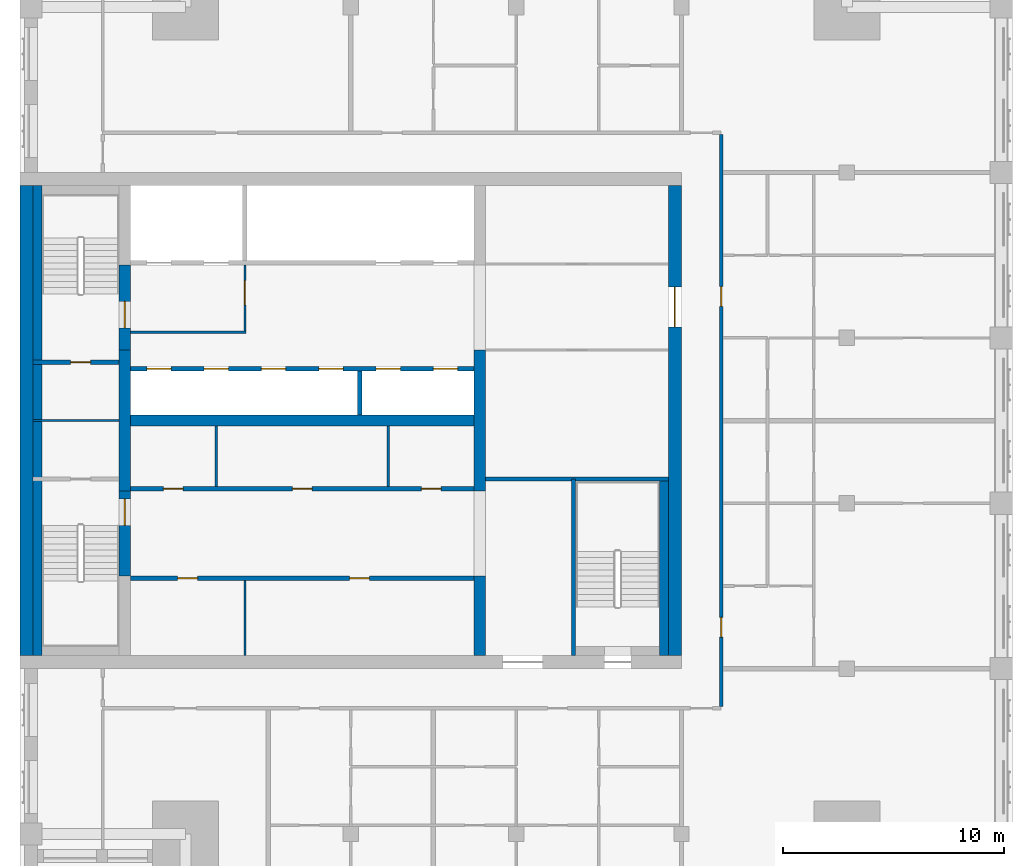
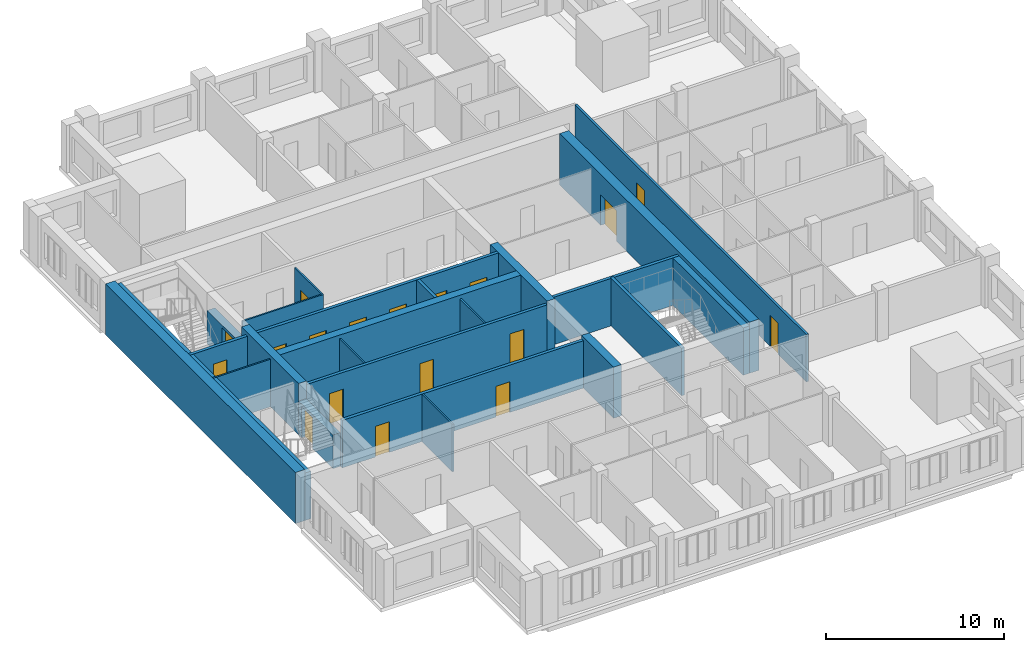
# One storey, part 4 of 10: 24 walls, 18 doors, 18 openings.
"""IFC4 building model written with IfcOpenShell, lengths in metres."""

import ifcopenshell
import ifcopenshell.guid

model = None  # the IFC model being written
_history = None  # IfcOwnerHistory: only IFC2X3 demands one
_inside = {}  # id of a spatial element -> (the spatial element, [elements in it])
_under = {}  # id of a project, library or spatial element -> (it, [spatial elements below it])
_declared = {}  # id of a project -> (the project, [libraries it declares])
_typed = {}  # id of a type object -> (the type object, [elements of that type])
_made_of = {}  # id of a material, layer set ... -> (it, [elements and type objects made of it])


def new_model(schema):
    """Start an empty IFC model of exactly this schema.

    Asked for "IFC4X3", IfcOpenShell would pick the latest addendum, in which some entities
    have other attributes; the version numbers below select the first issue.
    IFC2X3 requires an IfcOwnerHistory on every rooted entity: one is made here for all.
    """
    global model, _history
    if schema == "IFC4X3":
        model = ifcopenshell.file(schema_version=(4, 3, 0, 0))
    else:
        model = ifcopenshell.file(schema=schema)
    _inside.clear()
    _under.clear()
    _declared.clear()
    _typed.clear()
    _made_of.clear()
    _history = None
    if model.schema == "IFC2X3":
        org = make("IfcOrganization", Name="unknown")
        user = make(
            "IfcPersonAndOrganization",
            ThePerson=make("IfcPerson", FamilyName="unknown"),
            TheOrganization=org,
        )
        app = make(
            "IfcApplication",
            ApplicationDeveloper=org,
            Version="unknown",
            ApplicationFullName="unknown",
            ApplicationIdentifier="unknown",
        )
        _history = make(
            "IfcOwnerHistory",
            OwningUser=user,
            OwningApplication=app,
            ChangeAction="ADDED",
            CreationDate=0,
        )
    return model


def make(cls, **values):
    """One entity of the class cls with the attributes given. An attribute that is None is left unset."""
    return model.create_entity(
        cls, **{name: value for name, value in values.items() if value is not None}
    )


def rooted(cls, **values):
    """An entity with a GlobalId (a new one), such as an element, a storey or a relation."""
    return make(cls, GlobalId=ifcopenshell.guid.new(), OwnerHistory=_history, **values)


def si_unit(unit_type, name, prefix=None):
    """IfcSIUnit, for example si_unit("LENGTHUNIT", "METRE", prefix="MILLI")."""
    return make("IfcSIUnit", UnitType=unit_type, Prefix=prefix, Name=name)


def assignment(units):
    """IfcUnitAssignment: the units of a project."""
    return None if units is None else make("IfcUnitAssignment", Units=units)


def point(xyz):
    """IfcCartesianPoint."""
    return None if xyz is None else make("IfcCartesianPoint", Coordinates=xyz)


def direction(xyz):
    """IfcDirection."""
    return None if xyz is None else make("IfcDirection", DirectionRatios=xyz)


def frame(location, z_axis=None, x_axis=None):
    """IfcAxis2Placement3D, a coordinate frame: its origin and axes. An axis left out is left unset."""
    return make(
        "IfcAxis2Placement3D",
        Location=point(location),
        Axis=direction(z_axis),
        RefDirection=direction(x_axis),
    )


def frame_2d(location, x_axis=None):
    """IfcAxis2Placement2D, a coordinate frame in the plane: its origin and x axis."""
    return make(
        "IfcAxis2Placement2D", Location=point(location), RefDirection=direction(x_axis)
    )


def origin():
    """The frame at (0, 0, 0) with its axes left unset."""
    return frame((0.0, 0.0, 0.0))


def place(relative_to, where):
    """IfcLocalPlacement: puts the frame where relative to a parent placement (None: the world)."""
    return make(
        "IfcLocalPlacement", PlacementRelTo=relative_to, RelativePlacement=where
    )


def context(
    kind, dimensions, precision=None, world=None, true_north=None, identifier=None
):
    """IfcGeometricRepresentationContext, for example the 3D "Model" context."""
    return make(
        "IfcGeometricRepresentationContext",
        ContextIdentifier=identifier,
        ContextType=kind,
        CoordinateSpaceDimension=dimensions,
        Precision=precision,
        WorldCoordinateSystem=world,
        TrueNorth=true_north,
    )


def subcontext(parent, identifier, kind, view, scale=None):
    """IfcGeometricRepresentationSubContext, for example "Body" below "Model"."""
    return make(
        "IfcGeometricRepresentationSubContext",
        ContextIdentifier=identifier,
        ContextType=kind,
        ParentContext=parent,
        TargetScale=scale,
        TargetView=view,
    )


def project(units=None, contexts=None):
    """IfcProject with its units and contexts."""
    return rooted(
        "IfcProject",
        Name="project",
        RepresentationContexts=contexts,
        UnitsInContext=assignment(units),
    )


def spatial(cls, under=None, at=None, **own):
    """A site, building, storey or space (cls), placed at a placement, below another one or the project."""
    s = rooted(cls, ObjectPlacement=at, **own)
    if under is not None:
        _under.setdefault(under.id(), (under, []))[1].append(s)
    return s


def profile(cls, at=None, kind="AREA", **sizes):
    """A parametric profile (cls). Its sizes go by their IFC names, for example OverallWidth=200.0."""
    return make(cls, ProfileType=kind, Position=at, **sizes)


def rectangle(**sizes):
    """IfcRectangleProfileDef."""
    return profile("IfcRectangleProfileDef", **sizes)


def extrude(swept, where, along, depth):
    """IfcExtrudedAreaSolid: the profile swept, set in the frame where, extruded along a direction by depth."""
    return make(
        "IfcExtrudedAreaSolid",
        SweptArea=swept,
        Position=where,
        ExtrudedDirection=direction(along),
        Depth=depth,
    )


def shape(context_of_items, identifier, shape_type, items):
    """IfcShapeRepresentation: the items that make up one representation, for example the "Body"."""
    return make(
        "IfcShapeRepresentation",
        ContextOfItems=context_of_items,
        RepresentationIdentifier=identifier,
        RepresentationType=shape_type,
        Items=items,
    )


def material(Name=None, Category=None):
    """IfcMaterial."""
    return make("IfcMaterial", Name=Name, Category=Category)


def layer(
    of_material, thickness, ventilated=None, Name=None, Category=None, Priority=None
):
    """IfcMaterialLayer: one layer of a wall or slab, of a material (None: an air gap)."""
    return make(
        "IfcMaterialLayer",
        Material=of_material,
        LayerThickness=thickness,
        IsVentilated=ventilated,
        Name=Name,
        Category=Category,
        Priority=Priority,
    )


def layer_set(layers, Name=None):
    """IfcMaterialLayerSet."""
    return make("IfcMaterialLayerSet", MaterialLayers=layers, LayerSetName=Name)


def made_of(thing, what):
    """Note that an element or type object is made of a material, layer set ...; save() writes the relation."""
    if what is not None:
        _made_of.setdefault(what.id(), (what, []))[1].append(thing)
    return thing


def type_object(cls, material=None, **own):
    """A type object (cls), such as IfcWallType, which elements share."""
    return made_of(rooted(cls, **own), material)


def element(
    cls,
    number,
    at=None,
    inside=None,
    cuts=None,
    type_object=None,
    material=None,
    context=None,
    identifier="Body",
    shape_type=None,
    held_by="IfcProductDefinitionShape",
    body=None,
    shapes=None,
    **own,
):
    """One element of the class cls, such as IfcWall. Its Tag is "e" and its number.

    at: its placement. inside: the storey or other place that contains it. cuts: it is an
    opening in that element (IfcRelVoidsElement). A single representation is given by context,
    identifier, shape_type and body (its items); several are given by shapes. held_by: the class
    of the entity that holds the representations. save() writes the other relations.
    """
    e = rooted(cls, Tag="e%d" % number, ObjectPlacement=at, **own)
    if body is not None:
        shapes = [shape(context, identifier, shape_type, body)]
    if shapes is not None:
        e.Representation = make(held_by, Representations=shapes)
    if inside is not None:
        _inside.setdefault(inside.id(), (inside, []))[1].append(e)
    if cuts is not None:
        rooted(
            "IfcRelVoidsElement", RelatingBuildingElement=cuts, RelatedOpeningElement=e
        )
    if type_object is not None:
        _typed.setdefault(type_object.id(), (type_object, []))[1].append(e)
    return made_of(e, material)


def fill(opening, filler):
    """IfcRelFillsElement: the door or window that sits in an opening."""
    return rooted(
        "IfcRelFillsElement",
        RelatingOpeningElement=opening,
        RelatedBuildingElement=filler,
    )


def aggregate(whole, parts):
    """IfcRelAggregates: a whole, such as a stair, and the parts it consists of."""
    return rooted("IfcRelAggregates", RelatingObject=whole, RelatedObjects=parts)


def save(model, path):
    """Write the relations noted so far, then the file.

    IfcRelAggregates (storeys below a building ...), IfcRelContainedInSpatialStructure (elements
    in a storey), IfcRelDefinesByType, IfcRelAssociatesMaterial and IfcRelDeclares: one each for
    every whole, place, type object, material and project.
    """
    for whole, parts in _under.values():
        aggregate(whole, parts)
    for where, things in _inside.values():
        rooted(
            "IfcRelContainedInSpatialStructure",
            RelatedElements=things,
            RelatingStructure=where,
        )
    for kind, things in _typed.values():
        rooted("IfcRelDefinesByType", RelatedObjects=things, RelatingType=kind)
    for what, things in _made_of.values():
        rooted("IfcRelAssociatesMaterial", RelatedObjects=things, RelatingMaterial=what)
    for by, libraries in _declared.values():
        rooted("IfcRelDeclares", RelatingContext=by, RelatedDefinitions=libraries)
    model.write(path)


model = new_model("IFC4")

# Units and contexts
model_context = context("Model", 3, precision=1e-05, world=origin(), true_north=direction((0.0, 1.0)))
body_context = subcontext(model_context, "Body", "Model", "MODEL_VIEW")
ifc_project = project(units=[si_unit("LENGTHUNIT", "METRE"), si_unit("AREAUNIT", "SQUARE_METRE"), si_unit("VOLUMEUNIT", "CUBIC_METRE"), si_unit("PLANEANGLEUNIT", "RADIAN"), si_unit("MASSUNIT", "GRAM", prefix="KILO")], contexts=[model_context])

# Site, building, storey
site_placement = place(None, origin())
site = spatial("IfcSite", under=ifc_project, at=site_placement, CompositionType="ELEMENT")
building_placement = place(site_placement, origin())
building = spatial("IfcBuilding", under=site, at=building_placement, Name="Tamorin Gate", CompositionType="ELEMENT")
storey_placement = place(building_placement, frame((0.0, 0.0, 280.199951171875)))
storey = spatial("IfcBuildingStorey", under=building, at=storey_placement, Name="L70", CompositionType="ELEMENT", Elevation=280.199951171875)

# Wall, openings, doors
ifc_material_1 = material(Name="Gypsum board partition")
ifc_layer_1 = layer(ifc_material_1, 0.14990234375)
ifc_layer_set_1 = layer_set([ifc_layer_1], Name="Corridor wall 150")
wall_type_1 = type_object("IfcWallType", Name="Corridor wall 150", PredefinedType="PARTITIONING", material=ifc_layer_set_1)
wall_1_placement = place(storey_placement, frame((61.800048828125, 58.27490234375, 0.0), z_axis=(0.0, 0.0, 1.0), x_axis=(0.0, 1.0, 0.0)))
wall_1 = element("IfcWall", 1, at=wall_1_placement, inside=storey, type_object=wall_type_1, Name="Corridor wall 150", PredefinedType="PARTITIONING", context=body_context, shape_type="SweptSolid", body=[
    extrude(rectangle(XDim=25.9501953125, YDim=0.14990234375, at=frame_2d((12.97509765625, 0.0))), origin(), (0.0, 0.0, 1.0), 3.25),
])
opening_1_placement = place(wall_1_placement, frame((3.14990234375, 0.0, 0.0)))
opening_1 = element("IfcOpeningElement", 2, at=opening_1_placement, cuts=wall_1, Name="Opening DR9029", PredefinedType="OPENING", context=body_context, shape_type="SweptSolid", body=[
    extrude(rectangle(XDim=0.89990234375, YDim=2.10009765625, at=frame_2d((0.449951171875, 1.050048828125))), frame((0.0, 0.0849609375, 0.0), z_axis=(0.0, -1.0, 0.0), x_axis=(1.0, 0.0, 0.0)), (0.0, 0.0, 1.0), 0.169921875),
])
opening_2_placement = place(wall_1_placement, frame((18.14990234375, 0.0, 0.0)))
opening_2 = element("IfcOpeningElement", 3, at=opening_2_placement, cuts=wall_1, Name="Opening DR9038", PredefinedType="OPENING", context=body_context, shape_type="SweptSolid", body=[
    extrude(rectangle(XDim=0.89990234375, YDim=2.10009765625, at=frame_2d((0.449951171875, 1.050048828125))), frame((0.0, 0.0849609375, 0.0), z_axis=(0.0, -1.0, 0.0), x_axis=(1.0, 0.0, 0.0)), (0.0, 0.0, 1.0), 0.169921875),
])
ifc_material_2 = material(Name="Timber door leaf", Category="wood")
door_type_1 = type_object("IfcDoorType", Name="Door 900 x 2100 FD30S", OperationType="NOTDEFINED", PredefinedType="DOOR", material=ifc_material_2)
door_1_placement = place(opening_1_placement, origin())
door_1 = element("IfcDoor", 4, at=door_1_placement, inside=storey, type_object=door_type_1, Name="Door DR9029", OperationType="SINGLE_SWING_RIGHT", OverallHeight=2.10009765625, OverallWidth=0.89990234375, PredefinedType="DOOR", context=body_context, shape_type="SweptSolid", body=[
    extrude(rectangle(XDim=0.89990234375, YDim=2.10009765625, at=frame_2d((0.449951171875, 1.050048828125))), frame((0.0, 0.02490234375, 0.0), z_axis=(0.0, -1.0, 0.0), x_axis=(1.0, 0.0, 0.0)), (0.0, 0.0, 1.0), 0.050048828125),
])
fill(opening_1, door_1)
door_2_placement = place(opening_2_placement, origin())
door_2 = element("IfcDoor", 5, at=door_2_placement, inside=storey, type_object=door_type_1, Name="Door DR9038", OperationType="SINGLE_SWING_RIGHT", OverallHeight=2.10009765625, OverallWidth=0.89990234375, PredefinedType="DOOR", context=body_context, shape_type="SweptSolid", body=[
    extrude(rectangle(XDim=0.89990234375, YDim=2.10009765625, at=frame_2d((0.449951171875, 1.050048828125))), frame((0.0, 0.02490234375, 0.0), z_axis=(0.0, -1.0, 0.0), x_axis=(1.0, 0.0, 0.0)), (0.0, 0.0, 1.0), 0.050048828125),
])
fill(opening_2, door_2)

ifc_material_3 = material(Name="Concrete C32/40", Category="concrete")
ifc_layer_2 = layer(ifc_material_3, 0.199951171875)
ifc_layer_set_2 = layer_set([ifc_layer_2], Name="Lift lobby face wall 200 EI 120")
wall_type_2 = type_object("IfcWallType", Name="Lift lobby face wall 200 EI 120", PredefinedType="SOLIDWALL", material=ifc_layer_set_2)
wall_2_placement = place(storey_placement, frame((35.0, 73.60009765625, 0.0), z_axis=(0.0, 0.0, 1.0), x_axis=(1.0, 0.0, 0.0)))
wall_2 = element("IfcWall", 6, at=wall_2_placement, inside=storey, type_object=wall_type_2, Name="Lift lobby face wall", PredefinedType="SOLIDWALL", context=body_context, shape_type="SweptSolid", body=[
    extrude(rectangle(XDim=15.60009765625, YDim=0.199951171875, at=frame_2d((7.800048828125, 0.0))), origin(), (0.0, 0.0, 1.0), 3.5),
])
opening_3_placement = place(wall_2_placement, frame((0.75, 0.0, 0.0)))
opening_3 = element("IfcOpeningElement", 7, at=opening_3_placement, cuts=wall_2, Name="Opening LD11", PredefinedType="OPENING", context=body_context, shape_type="SweptSolid", body=[
    extrude(rectangle(XDim=1.10009765625, YDim=2.10009765625, at=frame_2d((0.550048828125, 1.050048828125))), frame((0.0, 0.10986328125, 0.0), z_axis=(0.0, -1.0, 0.0), x_axis=(1.0, 0.0, 0.0)), (0.0, 0.0, 1.0), 0.219970703125),
])
opening_4_placement = place(wall_2_placement, frame((3.35009765625, 0.0, 0.0)))
opening_4 = element("IfcOpeningElement", 8, at=opening_4_placement, cuts=wall_2, Name="Opening LD12", PredefinedType="OPENING", context=body_context, shape_type="SweptSolid", body=[
    extrude(rectangle(XDim=1.10009765625, YDim=2.10009765625, at=frame_2d((0.550048828125, 1.050048828125))), frame((0.0, 0.10986328125, 0.0), z_axis=(0.0, -1.0, 0.0), x_axis=(1.0, 0.0, 0.0)), (0.0, 0.0, 1.0), 0.219970703125),
])
opening_5_placement = place(wall_2_placement, frame((5.949951171875, 0.0, 0.0)))
opening_5 = element("IfcOpeningElement", 9, at=opening_5_placement, cuts=wall_2, Name="Opening LD13", PredefinedType="OPENING", context=body_context, shape_type="SweptSolid", body=[
    extrude(rectangle(XDim=1.10009765625, YDim=2.10009765625, at=frame_2d((0.550048828125, 1.050048828125))), frame((0.0, 0.10986328125, 0.0), z_axis=(0.0, -1.0, 0.0), x_axis=(1.0, 0.0, 0.0)), (0.0, 0.0, 1.0), 0.219970703125),
])
opening_6_placement = place(wall_2_placement, frame((8.550048828125, 0.0, 0.0)))
opening_6 = element("IfcOpeningElement", 10, at=opening_6_placement, cuts=wall_2, Name="Opening LD14", PredefinedType="OPENING", context=body_context, shape_type="SweptSolid", body=[
    extrude(rectangle(XDim=1.10009765625, YDim=2.10009765625, at=frame_2d((0.550048828125, 1.050048828125))), frame((0.0, 0.10986328125, 0.0), z_axis=(0.0, -1.0, 0.0), x_axis=(1.0, 0.0, 0.0)), (0.0, 0.0, 1.0), 0.219970703125),
])
opening_7_placement = place(wall_2_placement, frame((11.14990234375, 0.0, 0.0)))
opening_7 = element("IfcOpeningElement", 11, at=opening_7_placement, cuts=wall_2, Name="Opening LD15", PredefinedType="OPENING", context=body_context, shape_type="SweptSolid", body=[
    extrude(rectangle(XDim=1.10009765625, YDim=2.10009765625, at=frame_2d((0.550048828125, 1.050048828125))), frame((0.0, 0.10986328125, 0.0), z_axis=(0.0, -1.0, 0.0), x_axis=(1.0, 0.0, 0.0)), (0.0, 0.0, 1.0), 0.219970703125),
])
opening_8_placement = place(wall_2_placement, frame((13.75, 0.0, 0.0)))
opening_8 = element("IfcOpeningElement", 12, at=opening_8_placement, cuts=wall_2, Name="Opening LD16", PredefinedType="OPENING", context=body_context, shape_type="SweptSolid", body=[
    extrude(rectangle(XDim=1.10009765625, YDim=2.10009765625, at=frame_2d((0.550048828125, 1.050048828125))), frame((0.0, 0.10986328125, 0.0), z_axis=(0.0, -1.0, 0.0), x_axis=(1.0, 0.0, 0.0)), (0.0, 0.0, 1.0), 0.219970703125),
])
ifc_material_4 = material(Name="Stainless steel sliding door", Category="steel")
door_type_2 = type_object("IfcDoorType", Name="Lift landing door 1100 x 2100 E 90", OperationType="DOUBLE_DOOR_SLIDING", PredefinedType="DOOR", material=ifc_material_4)
door_3_placement = place(opening_3_placement, origin())
door_3 = element("IfcDoor", 13, at=door_3_placement, inside=storey, type_object=door_type_2, Name="HR1 landing door", OperationType="DOUBLE_DOOR_SLIDING", OverallHeight=2.10009765625, OverallWidth=1.10009765625, PredefinedType="DOOR", context=body_context, shape_type="SweptSolid", body=[
    extrude(rectangle(XDim=1.10009765625, YDim=2.10009765625, at=frame_2d((0.550048828125, 1.050048828125))), frame((0.0, 0.02490234375, 0.0), z_axis=(0.0, -1.0, 0.0), x_axis=(1.0, 0.0, 0.0)), (0.0, 0.0, 1.0), 0.050048828125),
])
fill(opening_3, door_3)
door_4_placement = place(opening_4_placement, origin())
door_4 = element("IfcDoor", 14, at=door_4_placement, inside=storey, type_object=door_type_2, Name="HR2 landing door", OperationType="DOUBLE_DOOR_SLIDING", OverallHeight=2.10009765625, OverallWidth=1.10009765625, PredefinedType="DOOR", context=body_context, shape_type="SweptSolid", body=[
    extrude(rectangle(XDim=1.10009765625, YDim=2.10009765625, at=frame_2d((0.550048828125, 1.050048828125))), frame((0.0, 0.02490234375, 0.0), z_axis=(0.0, -1.0, 0.0), x_axis=(1.0, 0.0, 0.0)), (0.0, 0.0, 1.0), 0.050048828125),
])
fill(opening_4, door_4)
door_5_placement = place(opening_5_placement, origin())
door_5 = element("IfcDoor", 15, at=door_5_placement, inside=storey, type_object=door_type_2, Name="HR3 landing door", OperationType="DOUBLE_DOOR_SLIDING", OverallHeight=2.10009765625, OverallWidth=1.10009765625, PredefinedType="DOOR", context=body_context, shape_type="SweptSolid", body=[
    extrude(rectangle(XDim=1.10009765625, YDim=2.10009765625, at=frame_2d((0.550048828125, 1.050048828125))), frame((0.0, 0.02490234375, 0.0), z_axis=(0.0, -1.0, 0.0), x_axis=(1.0, 0.0, 0.0)), (0.0, 0.0, 1.0), 0.050048828125),
])
fill(opening_5, door_5)
door_6_placement = place(opening_6_placement, origin())
door_6 = element("IfcDoor", 16, at=door_6_placement, inside=storey, type_object=door_type_2, Name="HR4 landing door", OperationType="DOUBLE_DOOR_SLIDING", OverallHeight=2.10009765625, OverallWidth=1.10009765625, PredefinedType="DOOR", context=body_context, shape_type="SweptSolid", body=[
    extrude(rectangle(XDim=1.10009765625, YDim=2.10009765625, at=frame_2d((0.550048828125, 1.050048828125))), frame((0.0, 0.02490234375, 0.0), z_axis=(0.0, -1.0, 0.0), x_axis=(1.0, 0.0, 0.0)), (0.0, 0.0, 1.0), 0.050048828125),
])
fill(opening_6, door_6)
door_7_placement = place(opening_7_placement, origin())
door_7 = element("IfcDoor", 17, at=door_7_placement, inside=storey, type_object=door_type_2, Name="HR5 landing door", OperationType="DOUBLE_DOOR_SLIDING", OverallHeight=2.10009765625, OverallWidth=1.10009765625, PredefinedType="DOOR", context=body_context, shape_type="SweptSolid", body=[
    extrude(rectangle(XDim=1.10009765625, YDim=2.10009765625, at=frame_2d((0.550048828125, 1.050048828125))), frame((0.0, 0.02490234375, 0.0), z_axis=(0.0, -1.0, 0.0), x_axis=(1.0, 0.0, 0.0)), (0.0, 0.0, 1.0), 0.050048828125),
])
fill(opening_7, door_7)
door_8_placement = place(opening_8_placement, origin())
door_8 = element("IfcDoor", 18, at=door_8_placement, inside=storey, type_object=door_type_2, Name="HR6 landing door", OperationType="DOUBLE_DOOR_SLIDING", OverallHeight=2.10009765625, OverallWidth=1.10009765625, PredefinedType="DOOR", context=body_context, shape_type="SweptSolid", body=[
    extrude(rectangle(XDim=1.10009765625, YDim=2.10009765625, at=frame_2d((0.550048828125, 1.050048828125))), frame((0.0, 0.02490234375, 0.0), z_axis=(0.0, -1.0, 0.0), x_axis=(1.0, 0.0, 0.0)), (0.0, 0.0, 1.0), 0.050048828125),
])
fill(opening_8, door_8)

# Walls
ifc_layer_3 = layer(ifc_material_3, 0.199951171875)
ifc_layer_set_3 = layer_set([ifc_layer_3], Name="Lift shaft wall 200 EI 120")
wall_type_3 = type_object("IfcWallType", Name="Lift shaft wall 200 EI 120", PredefinedType="SOLIDWALL", material=ifc_layer_set_3)
wall_3_placement = place(storey_placement, frame((45.39990234375, 71.5, 0.0), z_axis=(0.0, 0.0, 1.0), x_axis=(0.0, 1.0, 0.0)))
element("IfcWall", 19, at=wall_3_placement, inside=storey, type_object=wall_type_3, Name="Lift shaft wall", PredefinedType="SOLIDWALL", context=body_context, shape_type="SweptSolid", body=[
    extrude(rectangle(XDim=2.0, YDim=0.199951171875, at=frame_2d((1.0, 0.0))), origin(), (0.0, 0.0, 1.0), 3.5),
])
ifc_material_5 = material(Name="Fire-rated gypsum board partition")
ifc_layer_4 = layer(ifc_material_5, 0.10009765625)
ifc_layer_set_4 = layer_set([ifc_layer_4], Name="Lobby wall 100 EI 60")
wall_type_4 = type_object("IfcWallType", Name="Lobby wall 100 EI 60", PredefinedType="PARTITIONING", material=ifc_layer_set_4)
wall_4_placement = place(storey_placement, frame((35.0, 75.25, 0.0), z_axis=(0.0, 0.0, 1.0), x_axis=(1.0, 0.0, 0.0)))
element("IfcWall", 20, at=wall_4_placement, inside=storey, type_object=wall_type_4, Name="Firefighting lobby wall", PredefinedType="PARTITIONING", context=body_context, shape_type="SweptSolid", body=[
    extrude(rectangle(XDim=5.25, YDim=0.10009765625, at=frame_2d((2.625, 0.0))), origin(), (0.0, 0.0, 1.0), 3.25),
])

# Wall, opening, door
wall_5_placement = place(storey_placement, frame((40.199951171875, 75.300048828125, 0.0), z_axis=(0.0, 0.0, 1.0), x_axis=(0.0, 1.0, 0.0)))
wall_5 = element("IfcWall", 21, at=wall_5_placement, inside=storey, type_object=wall_type_4, Name="Firefighting lobby wall", PredefinedType="PARTITIONING", context=body_context, shape_type="SweptSolid", body=[
    extrude(rectangle(XDim=3.0, YDim=0.10009765625, at=frame_2d((1.5, 0.0))), origin(), (0.0, 0.0, 1.0), 3.25),
])
opening_9_placement = place(wall_5_placement, frame((1.199951171875, 0.0, 0.0)))
opening_9 = element("IfcOpeningElement", 22, at=opening_9_placement, cuts=wall_5, Name="Opening DF1", PredefinedType="OPENING", context=body_context, shape_type="SweptSolid", body=[
    extrude(rectangle(XDim=1.10009765625, YDim=2.10009765625, at=frame_2d((0.550048828125, 1.050048828125))), frame((0.0, 0.06005859375, 0.0), z_axis=(0.0, -1.0, 0.0), x_axis=(1.0, 0.0, 0.0)), (0.0, 0.0, 1.0), 0.1201171875),
])
ifc_material_6 = material(Name="Steel fire door", Category="steel")
door_type_3 = type_object("IfcDoorType", Name="Firefighting lobby door 1100 x 2100 EI 90", OperationType="SINGLE_SWING_LEFT", PredefinedType="DOOR", material=ifc_material_6)
door_9_placement = place(opening_9_placement, origin())
door_9 = element("IfcDoor", 23, at=door_9_placement, inside=storey, type_object=door_type_3, Name="Firefighting lobby door", OperationType="SINGLE_SWING_LEFT", OverallHeight=2.10009765625, OverallWidth=1.10009765625, PredefinedType="DOOR", context=body_context, shape_type="SweptSolid", body=[
    extrude(rectangle(XDim=1.10009765625, YDim=2.10009765625, at=frame_2d((0.550048828125, 1.050048828125))), frame((0.0, 0.02490234375, 0.0), z_axis=(0.0, -1.0, 0.0), x_axis=(1.0, 0.0, 0.0)), (0.0, 0.0, 1.0), 0.050048828125),
])
fill(opening_9, door_9)

# Walls
ifc_material_7 = material(Name="Concrete C50/60", Category="concrete")
ifc_layer_5 = layer(ifc_material_7, 0.5)
ifc_layer_set_5 = layer_set([ifc_layer_5], Name="RC core internal wall 500 C50/60")
wall_type_5 = type_object("IfcWallType", Name="RC core internal wall 500 C50/60", PredefinedType="SHEAR", material=ifc_layer_set_5)
wall_6_placement = place(storey_placement, frame((35.0, 71.25, 0.0), z_axis=(0.0, 0.0, 1.0), x_axis=(1.0, 0.0, 0.0)))
element("IfcWall", 24, at=wall_6_placement, inside=storey, type_object=wall_type_5, Name="Core spine wall L70", PredefinedType="SHEAR", context=body_context, shape_type="SweptSolid", body=[
    extrude(rectangle(XDim=15.60009765625, YDim=0.5, at=frame_2d((7.800048828125, 0.0))), origin(), (0.0, 0.0, 1.0), 3.5),
])
wall_7_placement = place(storey_placement, frame((34.75, 68.050048828125, 0.0), z_axis=(0.0, 0.0, 1.0), x_axis=(0.0, 1.0, 0.0)))
element("IfcWall", 25, at=wall_7_placement, inside=storey, type_object=wall_type_5, Name="Core cross wall L70", PredefinedType="SHEAR", context=body_context, shape_type="SweptSolid", body=[
    extrude(rectangle(XDim=6.39990234375, YDim=0.5, at=frame_2d((3.199951171875, 0.0))), origin(), (0.0, 0.0, 1.0), 3.5),
])
wall_8_placement = place(storey_placement, frame((50.85009765625, 60.60009765625, 0.0), z_axis=(0.0, 0.0, 1.0), x_axis=(0.0, 1.0, 0.0)))
element("IfcWall", 26, at=wall_8_placement, inside=storey, type_object=wall_type_5, Name="Core cross wall L70", PredefinedType="SHEAR", context=body_context, shape_type="SweptSolid", body=[
    extrude(rectangle(XDim=3.599853515625, YDim=0.5, at=frame_2d((1.7998046875, 0.0))), origin(), (0.0, 0.0, 1.0), 3.5),
])
wall_9_placement = place(storey_placement, frame((50.85009765625, 68.050048828125, 0.0), z_axis=(0.0, 0.0, 1.0), x_axis=(0.0, 1.0, 0.0)))
element("IfcWall", 27, at=wall_9_placement, inside=storey, type_object=wall_type_5, Name="Core cross wall L70", PredefinedType="SHEAR", context=body_context, shape_type="SweptSolid", body=[
    extrude(rectangle(XDim=6.39990234375, YDim=0.5, at=frame_2d((3.199951171875, 0.0))), origin(), (0.0, 0.0, 1.0), 3.5),
])
ifc_layer_6 = layer(ifc_material_7, 0.60009765625)
ifc_layer_set_6 = layer_set([ifc_layer_6], Name="RC core wall 600 C50/60")
wall_type_6 = type_object("IfcWallType", Name="RC core wall 600 C50/60", PredefinedType="SHEAR", material=ifc_layer_set_6)
wall_10_placement = place(storey_placement, frame((30.300048828125, 60.60009765625, 0.0), z_axis=(0.0, 0.0, 1.0), x_axis=(0.0, 1.0, 0.0)))
element("IfcWall", 28, at=wall_10_placement, inside=storey, type_object=wall_type_6, Name="Core wall L70", PredefinedType="SHEAR", context=body_context, shape_type="SweptSolid", body=[
    extrude(rectangle(XDim=21.2998046875, YDim=0.60009765625, at=frame_2d((10.64990234375, 0.0))), origin(), (0.0, 0.0, 1.0), 3.5),
])

# Wall, opening, door
wall_11_placement = place(storey_placement, frame((59.699951171875, 60.60009765625, 0.0), z_axis=(0.0, 0.0, 1.0), x_axis=(0.0, 1.0, 0.0)))
wall_11 = element("IfcWall", 29, at=wall_11_placement, inside=storey, type_object=wall_type_6, Name="Core wall L70", PredefinedType="SHEAR", context=body_context, shape_type="SweptSolid", body=[
    extrude(rectangle(XDim=21.2998046875, YDim=0.60009765625, at=frame_2d((10.64990234375, 0.0))), origin(), (0.0, 0.0, 1.0), 3.5),
])
opening_10_placement = place(wall_11_placement, frame((14.89990234375, 0.0, 0.0)))
opening_10 = element("IfcOpeningElement", 30, at=opening_10_placement, cuts=wall_11, Name="Opening DE1", PredefinedType="OPENING", context=body_context, shape_type="SweptSolid", body=[
    extrude(rectangle(XDim=1.800048828125, YDim=2.10009765625, at=frame_2d((0.89990234375, 1.050048828125))), frame((0.0, 0.31005859375, 0.0), z_axis=(0.0, -1.0, 0.0), x_axis=(1.0, 0.0, 0.0)), (0.0, 0.0, 1.0), 0.6201171875),
])
door_type_4 = type_object("IfcDoorType", Name="Lobby exit double door 1800 x 2100 EI 60", OperationType="DOUBLE_DOOR_SINGLE_SWING", PredefinedType="DOOR", material=ifc_material_6)
door_10_placement = place(opening_10_placement, origin())
door_10 = element("IfcDoor", 31, at=door_10_placement, inside=storey, type_object=door_type_4, Name="Lift lobby B exit door", OperationType="DOUBLE_DOOR_SINGLE_SWING", OverallHeight=2.10009765625, OverallWidth=1.800048828125, PredefinedType="DOOR", context=body_context, shape_type="SweptSolid", body=[
    extrude(rectangle(XDim=1.800048828125, YDim=2.10009765625, at=frame_2d((0.89990234375, 1.050048828125))), frame((0.0, 0.02490234375, 0.0), z_axis=(0.0, -1.0, 0.0), x_axis=(1.0, 0.0, 0.0)), (0.0, 0.0, 1.0), 0.050048828125),
])
fill(opening_10, door_10)

# Wall
ifc_layer_7 = layer(ifc_material_5, 0.10009765625)
ifc_layer_set_7 = layer_set([ifc_layer_7], Name="Riser partition 100 EI 120")
wall_type_7 = type_object("IfcWallType", Name="Riser partition 100 EI 120", PredefinedType="PARTITIONING", material=ifc_layer_set_7)
wall_12_placement = place(storey_placement, frame((30.60009765625, 71.25, 0.0), z_axis=(0.0, 0.0, 1.0), x_axis=(1.0, 0.0, 0.0)))
element("IfcWall", 32, at=wall_12_placement, inside=storey, type_object=wall_type_7, Name="Riser partition", PredefinedType="PARTITIONING", context=body_context, shape_type="SweptSolid", body=[
    extrude(rectangle(XDim=3.89990234375, YDim=0.10009765625, at=frame_2d((1.949951171875, 0.0))), origin(), (0.0, 0.0, 1.0), 3.25),
])

# Wall, openings, doors
ifc_layer_8 = layer(ifc_material_1, 0.199951171875)
ifc_layer_set_8 = layer_set([ifc_layer_8], Name="Service room face wall 200 EI 60")
wall_type_8 = type_object("IfcWallType", Name="Service room face wall 200 EI 60", PredefinedType="PARTITIONING", material=ifc_layer_set_8)
wall_13_placement = place(storey_placement, frame((35.0, 64.10009765625, 0.0), z_axis=(0.0, 0.0, 1.0), x_axis=(1.0, 0.0, 0.0)))
wall_13 = element("IfcWall", 33, at=wall_13_placement, inside=storey, type_object=wall_type_8, Name="Service room face wall", PredefinedType="PARTITIONING", context=body_context, shape_type="SweptSolid", body=[
    extrude(rectangle(XDim=15.60009765625, YDim=0.199951171875, at=frame_2d((7.800048828125, 0.0))), origin(), (0.0, 0.0, 1.0), 3.25),
])
opening_11_placement = place(wall_13_placement, frame((2.14990234375, 0.0, 0.0)))
opening_11 = element("IfcOpeningElement", 34, at=opening_11_placement, cuts=wall_13, Name="Opening DK1", PredefinedType="OPENING", context=body_context, shape_type="SweptSolid", body=[
    extrude(rectangle(XDim=0.89990234375, YDim=2.10009765625, at=frame_2d((0.449951171875, 1.050048828125))), frame((0.0, 0.10986328125, 0.0), z_axis=(0.0, -1.0, 0.0), x_axis=(1.0, 0.0, 0.0)), (0.0, 0.0, 1.0), 0.219970703125),
])
opening_12_placement = place(wall_13_placement, frame((9.949951171875, 0.0, 0.0)))
opening_12 = element("IfcOpeningElement", 35, at=opening_12_placement, cuts=wall_13, Name="Opening DK1", PredefinedType="OPENING", context=body_context, shape_type="SweptSolid", body=[
    extrude(rectangle(XDim=0.89990234375, YDim=2.10009765625, at=frame_2d((0.449951171875, 1.050048828125))), frame((0.0, 0.10986328125, 0.0), z_axis=(0.0, -1.0, 0.0), x_axis=(1.0, 0.0, 0.0)), (0.0, 0.0, 1.0), 0.219970703125),
])
ifc_material_8 = material(Name="Timber fire door", Category="wood")
door_type_5 = type_object("IfcDoorType", Name="Service room door 900 x 2100 EI 60", OperationType="SINGLE_SWING_LEFT", PredefinedType="DOOR", material=ifc_material_8)
door_11_placement = place(opening_11_placement, origin())
door_11 = element("IfcDoor", 36, at=door_11_placement, inside=storey, type_object=door_type_5, Name="Door Club store", OperationType="SINGLE_SWING_RIGHT", OverallHeight=2.10009765625, OverallWidth=0.89990234375, PredefinedType="DOOR", context=body_context, shape_type="SweptSolid", body=[
    extrude(rectangle(XDim=0.89990234375, YDim=2.10009765625, at=frame_2d((0.449951171875, 1.050048828125))), frame((0.0, 0.02490234375, 0.0), z_axis=(0.0, -1.0, 0.0), x_axis=(1.0, 0.0, 0.0)), (0.0, 0.0, 1.0), 0.050048828125),
])
fill(opening_11, door_11)
door_12_placement = place(opening_12_placement, origin())
door_12 = element("IfcDoor", 37, at=door_12_placement, inside=storey, type_object=door_type_5, Name="Door Pantry", OperationType="SINGLE_SWING_LEFT", OverallHeight=2.10009765625, OverallWidth=0.89990234375, PredefinedType="DOOR", context=body_context, shape_type="SweptSolid", body=[
    extrude(rectangle(XDim=0.89990234375, YDim=2.10009765625, at=frame_2d((0.449951171875, 1.050048828125))), frame((0.0, 0.02490234375, 0.0), z_axis=(0.0, -1.0, 0.0), x_axis=(1.0, 0.0, 0.0)), (0.0, 0.0, 1.0), 0.050048828125),
])
fill(opening_12, door_12)

wall_14_placement = place(storey_placement, frame((35.0, 68.14990234375, 0.0), z_axis=(0.0, 0.0, 1.0), x_axis=(1.0, 0.0, 0.0)))
wall_14 = element("IfcWall", 38, at=wall_14_placement, inside=storey, type_object=wall_type_8, Name="Service room face wall", PredefinedType="PARTITIONING", context=body_context, shape_type="SweptSolid", body=[
    extrude(rectangle(XDim=15.60009765625, YDim=0.199951171875, at=frame_2d((7.800048828125, 0.0))), origin(), (0.0, 0.0, 1.0), 3.25),
])
opening_13_placement = place(wall_14_placement, frame((1.5, 0.0, 0.0)))
opening_13 = element("IfcOpeningElement", 39, at=opening_13_placement, cuts=wall_14, Name="Opening DK1", PredefinedType="OPENING", context=body_context, shape_type="SweptSolid", body=[
    extrude(rectangle(XDim=0.89990234375, YDim=2.10009765625, at=frame_2d((0.449951171875, 1.050048828125))), frame((0.0, 0.10986328125, 0.0), z_axis=(0.0, -1.0, 0.0), x_axis=(1.0, 0.0, 0.0)), (0.0, 0.0, 1.0), 0.219970703125),
])
opening_14_placement = place(wall_14_placement, frame((7.35009765625, 0.0, 0.0)))
opening_14 = element("IfcOpeningElement", 40, at=opening_14_placement, cuts=wall_14, Name="Opening DK1", PredefinedType="OPENING", context=body_context, shape_type="SweptSolid", body=[
    extrude(rectangle(XDim=0.89990234375, YDim=2.10009765625, at=frame_2d((0.449951171875, 1.050048828125))), frame((0.0, 0.10986328125, 0.0), z_axis=(0.0, -1.0, 0.0), x_axis=(1.0, 0.0, 0.0)), (0.0, 0.0, 1.0), 0.219970703125),
])
opening_15_placement = place(wall_14_placement, frame((13.199951171875, 0.0, 0.0)))
opening_15 = element("IfcOpeningElement", 41, at=opening_15_placement, cuts=wall_14, Name="Opening DK1", PredefinedType="OPENING", context=body_context, shape_type="SweptSolid", body=[
    extrude(rectangle(XDim=0.89990234375, YDim=2.10009765625, at=frame_2d((0.449951171875, 1.050048828125))), frame((0.0, 0.10986328125, 0.0), z_axis=(0.0, -1.0, 0.0), x_axis=(1.0, 0.0, 0.0)), (0.0, 0.0, 1.0), 0.219970703125),
])
door_13_placement = place(opening_13_placement, origin())
door_13 = element("IfcDoor", 42, at=door_13_placement, inside=storey, type_object=door_type_5, Name="Door Cleaner's store", OperationType="SINGLE_SWING_RIGHT", OverallHeight=2.10009765625, OverallWidth=0.89990234375, PredefinedType="DOOR", context=body_context, shape_type="SweptSolid", body=[
    extrude(rectangle(XDim=0.89990234375, YDim=2.10009765625, at=frame_2d((0.449951171875, 1.050048828125))), frame((0.0, 0.02490234375, 0.0), z_axis=(0.0, -1.0, 0.0), x_axis=(1.0, 0.0, 0.0)), (0.0, 0.0, 1.0), 0.050048828125),
])
fill(opening_13, door_13)
door_14_placement = place(opening_14_placement, origin())
door_14 = element("IfcDoor", 43, at=door_14_placement, inside=storey, type_object=door_type_5, Name="Door Electrical and IT room", OperationType="SINGLE_SWING_LEFT", OverallHeight=2.10009765625, OverallWidth=0.89990234375, PredefinedType="DOOR", context=body_context, shape_type="SweptSolid", body=[
    extrude(rectangle(XDim=0.89990234375, YDim=2.10009765625, at=frame_2d((0.449951171875, 1.050048828125))), frame((0.0, 0.02490234375, 0.0), z_axis=(0.0, -1.0, 0.0), x_axis=(1.0, 0.0, 0.0)), (0.0, 0.0, 1.0), 0.050048828125),
])
fill(opening_14, door_14)
door_15_placement = place(opening_15_placement, origin())
door_15 = element("IfcDoor", 44, at=door_15_placement, inside=storey, type_object=door_type_5, Name="Door Linen store", OperationType="SINGLE_SWING_RIGHT", OverallHeight=2.10009765625, OverallWidth=0.89990234375, PredefinedType="DOOR", context=body_context, shape_type="SweptSolid", body=[
    extrude(rectangle(XDim=0.89990234375, YDim=2.10009765625, at=frame_2d((0.449951171875, 1.050048828125))), frame((0.0, 0.02490234375, 0.0), z_axis=(0.0, -1.0, 0.0), x_axis=(1.0, 0.0, 0.0)), (0.0, 0.0, 1.0), 0.050048828125),
])
fill(opening_15, door_15)

# Walls
ifc_layer_9 = layer(ifc_material_1, 0.10009765625)
ifc_layer_set_9 = layer_set([ifc_layer_9], Name="Service room partition 100 EI 60")
wall_type_9 = type_object("IfcWallType", Name="Service room partition 100 EI 60", PredefinedType="PARTITIONING", material=ifc_layer_set_9)
wall_15_placement = place(storey_placement, frame((40.199951171875, 60.60009765625, 0.0), z_axis=(0.0, 0.0, 1.0), x_axis=(0.0, 1.0, 0.0)))
element("IfcWall", 45, at=wall_15_placement, inside=storey, type_object=wall_type_9, Name="Service room partition", PredefinedType="PARTITIONING", context=body_context, shape_type="SweptSolid", body=[
    extrude(rectangle(XDim=3.39990234375, YDim=0.10009765625, at=frame_2d((1.699951171875, 0.0))), origin(), (0.0, 0.0, 1.0), 3.25),
])
for number, where, z_axis, x_axis, name in (
    (46, (38.89990234375, 68.25, 0.0), (0.0, 0.0, 1.0), (0.0, 1.0, 0.0), "Service room partition"),
    (47, (46.699951171875, 68.25, 0.0), (0.0, 0.0, 1.0), (0.0, 1.0, 0.0), "Service room partition"),
):
    element("IfcWall", number, at=place(storey_placement, frame(where, z_axis=z_axis, x_axis=x_axis)), inside=storey, type_object=wall_type_9, Name=name, PredefinedType="PARTITIONING", context=body_context, shape_type="SweptSolid", body=[
        extrude(rectangle(XDim=2.75, YDim=0.10009765625, at=frame_2d((1.375, 0.0))), origin(), (0.0, 0.0, 1.0), 3.25),
    ])

# Wall, opening, door
ifc_material_9 = material(Name="Concrete C40/50", Category="concrete")
ifc_layer_10 = layer(ifc_material_9, 0.199951171875)
ifc_layer_set_10 = layer_set([ifc_layer_10], Name="Stair enclosure wall 200 EI 120 C40/50")
wall_type_10 = type_object("IfcWallType", Name="Stair enclosure wall 200 EI 120 C40/50", PredefinedType="SOLIDWALL", material=ifc_layer_set_10)
wall_16_placement = place(storey_placement, frame((30.60009765625, 73.89990234375, 0.0), z_axis=(0.0, 0.0, 1.0), x_axis=(1.0, 0.0, 0.0)))
wall_16 = element("IfcWall", 48, at=wall_16_placement, inside=storey, type_object=wall_type_10, Name="Stair enclosure wall", PredefinedType="SOLIDWALL", context=body_context, shape_type="SweptSolid", body=[
    extrude(rectangle(XDim=3.89990234375, YDim=0.199951171875, at=frame_2d((1.949951171875, 0.0))), origin(), (0.0, 0.0, 1.0), 3.25),
])
opening_16_placement = place(wall_16_placement, frame((1.699951171875, 0.0, 0.0)))
opening_16 = element("IfcOpeningElement", 49, at=opening_16_placement, cuts=wall_16, Name="Opening DR1", PredefinedType="OPENING", context=body_context, shape_type="SweptSolid", body=[
    extrude(rectangle(XDim=0.89990234375, YDim=2.10009765625, at=frame_2d((0.449951171875, 1.050048828125))), frame((0.0, 0.10986328125, 0.0), z_axis=(0.0, -1.0, 0.0), x_axis=(1.0, 0.0, 0.0)), (0.0, 0.0, 1.0), 0.219970703125),
])
door_type_6 = type_object("IfcDoorType", Name="Riser access door 900 x 2100 EI 120", OperationType="SINGLE_SWING_LEFT", PredefinedType="DOOR", material=ifc_material_6)
door_16_placement = place(opening_16_placement, origin())
door_16 = element("IfcDoor", 50, at=door_16_placement, inside=storey, type_object=door_type_6, Name="Communications riser door", OperationType="SINGLE_SWING_RIGHT", OverallHeight=2.10009765625, OverallWidth=0.89990234375, PredefinedType="DOOR", context=body_context, shape_type="SweptSolid", body=[
    extrude(rectangle(XDim=0.89990234375, YDim=2.10009765625, at=frame_2d((0.449951171875, 1.050048828125))), frame((0.0, 0.02490234375, 0.0), z_axis=(0.0, -1.0, 0.0), x_axis=(1.0, 0.0, 0.0)), (0.0, 0.0, 1.0), 0.050048828125),
])
fill(opening_16, door_16)

# Walls
wall_17_placement = place(storey_placement, frame((55.10009765625, 60.60009765625, 0.0), z_axis=(0.0, 0.0, 1.0), x_axis=(0.0, 1.0, 0.0)))
element("IfcWall", 51, at=wall_17_placement, inside=storey, type_object=wall_type_10, Name="Stair enclosure wall", PredefinedType="SOLIDWALL", context=body_context, shape_type="SweptSolid", body=[
    extrude(rectangle(XDim=8.0, YDim=0.199951171875, at=frame_2d((4.0, 0.0))), origin(), (0.0, 0.0, 1.0), 3.25),
])
wall_18_placement = place(storey_placement, frame((51.10009765625, 68.60009765625, 0.0), z_axis=(0.0, 0.0, 1.0), x_axis=(1.0, 0.0, 0.0)))
element("IfcWall", 52, at=wall_18_placement, inside=storey, type_object=wall_type_10, Name="Stair enclosure wall", PredefinedType="SOLIDWALL", context=body_context, shape_type="SweptSolid", body=[
    extrude(rectangle(XDim=8.2998046875, YDim=0.199951171875, at=frame_2d((4.14990234375, 0.0))), origin(), (0.0, 0.0, 1.0), 3.25),
])
ifc_layer_11 = layer(ifc_material_7, 0.39990234375)
ifc_layer_set_11 = layer_set([ifc_layer_11], Name="Stair lining wall 400 EI 120 C50/60")
wall_type_11 = type_object("IfcWallType", Name="Stair lining wall 400 EI 120 C50/60", PredefinedType="SOLIDWALL", material=ifc_layer_set_11)
wall_19_placement = place(storey_placement, frame((30.800048828125, 60.60009765625, 0.0), z_axis=(0.0, 0.0, 1.0), x_axis=(0.0, 1.0, 0.0)))
element("IfcWall", 53, at=wall_19_placement, inside=storey, type_object=wall_type_11, Name="Stair lining wall", PredefinedType="SOLIDWALL", context=body_context, shape_type="SweptSolid", body=[
    extrude(rectangle(XDim=21.2998046875, YDim=0.39990234375, at=frame_2d((10.64990234375, 0.0))), origin(), (0.0, 0.0, 1.0), 3.25),
])
wall_20_placement = place(storey_placement, frame((59.199951171875, 60.60009765625, 0.0), z_axis=(0.0, 0.0, 1.0), x_axis=(0.0, 1.0, 0.0)))
element("IfcWall", 54, at=wall_20_placement, inside=storey, type_object=wall_type_11, Name="Stair lining wall", PredefinedType="SOLIDWALL", context=body_context, shape_type="SweptSolid", body=[
    extrude(rectangle(XDim=7.89990234375, YDim=0.39990234375, at=frame_2d((3.949951171875, 0.0))), origin(), (0.0, 0.0, 1.0), 3.25),
])

# Wall, opening, door
ifc_layer_12 = layer(ifc_material_3, 0.5)
ifc_layer_set_12 = layer_set([ifc_layer_12], Name="Stair lobby infill wall 500 EI 120")
wall_type_12 = type_object("IfcWallType", Name="Stair lobby infill wall 500 EI 120", PredefinedType="SOLIDWALL", material=ifc_layer_set_12)
wall_21_placement = place(storey_placement, frame((34.75, 64.199951171875, 0.0), z_axis=(0.0, 0.0, 1.0), x_axis=(0.0, 1.0, 0.0)))
wall_21 = element("IfcWall", 55, at=wall_21_placement, inside=storey, type_object=wall_type_12, Name="Stair lobby infill wall", PredefinedType="SOLIDWALL", context=body_context, shape_type="SweptSolid", body=[
    extrude(rectangle(XDim=3.85009765625, YDim=0.5, at=frame_2d((1.925048828125, 0.0))), origin(), (0.0, 0.0, 1.0), 2.300048828125),
])
opening_17_placement = place(wall_21_placement, frame((2.300048828125, 0.0, 0.0)))
opening_17 = element("IfcOpeningElement", 56, at=opening_17_placement, cuts=wall_21, Name="Opening DS1", PredefinedType="OPENING", context=body_context, shape_type="SweptSolid", body=[
    extrude(rectangle(XDim=1.199951171875, YDim=2.10009765625, at=frame_2d((0.60009765625, 1.050048828125))), frame((0.0, 0.260009765625, 0.0), z_axis=(0.0, -1.0, 0.0), x_axis=(1.0, 0.0, 0.0)), (0.0, 0.0, 1.0), 0.52001953125),
])
door_type_7 = type_object("IfcDoorType", Name="Stair door 1200 x 2100 EI 90", OperationType="SINGLE_SWING_LEFT", PredefinedType="DOOR", material=ifc_material_6)
door_17_placement = place(opening_17_placement, origin())
door_17 = element("IfcDoor", 57, at=door_17_placement, inside=storey, type_object=door_type_7, Name="ST1 door", OperationType="SINGLE_SWING_LEFT", OverallHeight=2.10009765625, OverallWidth=1.199951171875, PredefinedType="DOOR", context=body_context, shape_type="SweptSolid", body=[
    extrude(rectangle(XDim=1.199951171875, YDim=2.10009765625, at=frame_2d((0.60009765625, 1.050048828125))), frame((0.0, 0.02490234375, 0.0), z_axis=(0.0, -1.0, 0.0), x_axis=(1.0, 0.0, 0.0)), (0.0, 0.0, 1.0), 0.050048828125),
])
fill(opening_17, door_17)

wall_22_placement = place(storey_placement, frame((34.75, 74.449951171875, 0.0), z_axis=(0.0, 0.0, 1.0), x_axis=(0.0, 1.0, 0.0)))
wall_22 = element("IfcWall", 58, at=wall_22_placement, inside=storey, type_object=wall_type_12, Name="Stair lobby infill wall", PredefinedType="SOLIDWALL", context=body_context, shape_type="SweptSolid", body=[
    extrude(rectangle(XDim=3.85009765625, YDim=0.5, at=frame_2d((1.925048828125, 0.0))), origin(), (0.0, 0.0, 1.0), 2.300048828125),
])
opening_18_placement = place(wall_22_placement, frame((1.0, 0.0, 0.0)))
opening_18 = element("IfcOpeningElement", 59, at=opening_18_placement, cuts=wall_22, Name="Opening DS1", PredefinedType="OPENING", context=body_context, shape_type="SweptSolid", body=[
    extrude(rectangle(XDim=1.199951171875, YDim=2.10009765625, at=frame_2d((0.60009765625, 1.050048828125))), frame((0.0, 0.260009765625, 0.0), z_axis=(0.0, -1.0, 0.0), x_axis=(1.0, 0.0, 0.0)), (0.0, 0.0, 1.0), 0.52001953125),
])
door_18_placement = place(opening_18_placement, origin())
door_18 = element("IfcDoor", 60, at=door_18_placement, inside=storey, type_object=door_type_7, Name="ST2 door", OperationType="SINGLE_SWING_RIGHT", OverallHeight=2.10009765625, OverallWidth=1.199951171875, PredefinedType="DOOR", context=body_context, shape_type="SweptSolid", body=[
    extrude(rectangle(XDim=1.199951171875, YDim=2.10009765625, at=frame_2d((0.60009765625, 1.050048828125))), frame((0.0, 0.02490234375, 0.0), z_axis=(0.0, -1.0, 0.0), x_axis=(1.0, 0.0, 0.0)), (0.0, 0.0, 1.0), 0.050048828125),
])
fill(opening_18, door_18)

save(model, "model.ifc")
